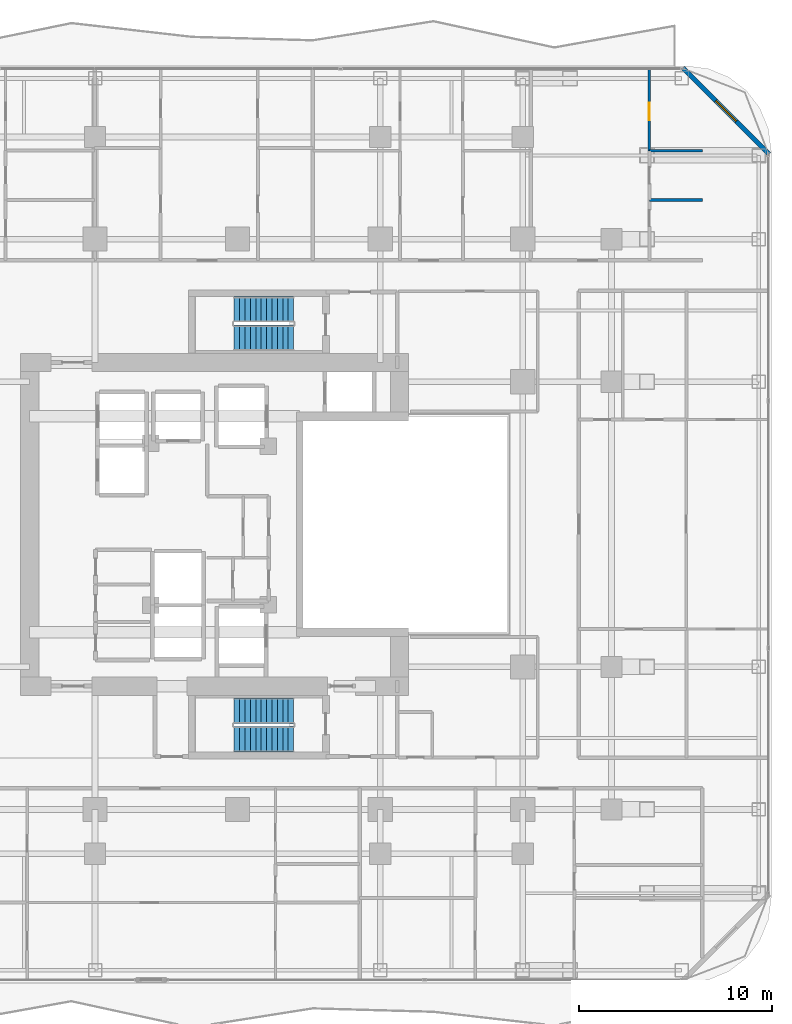
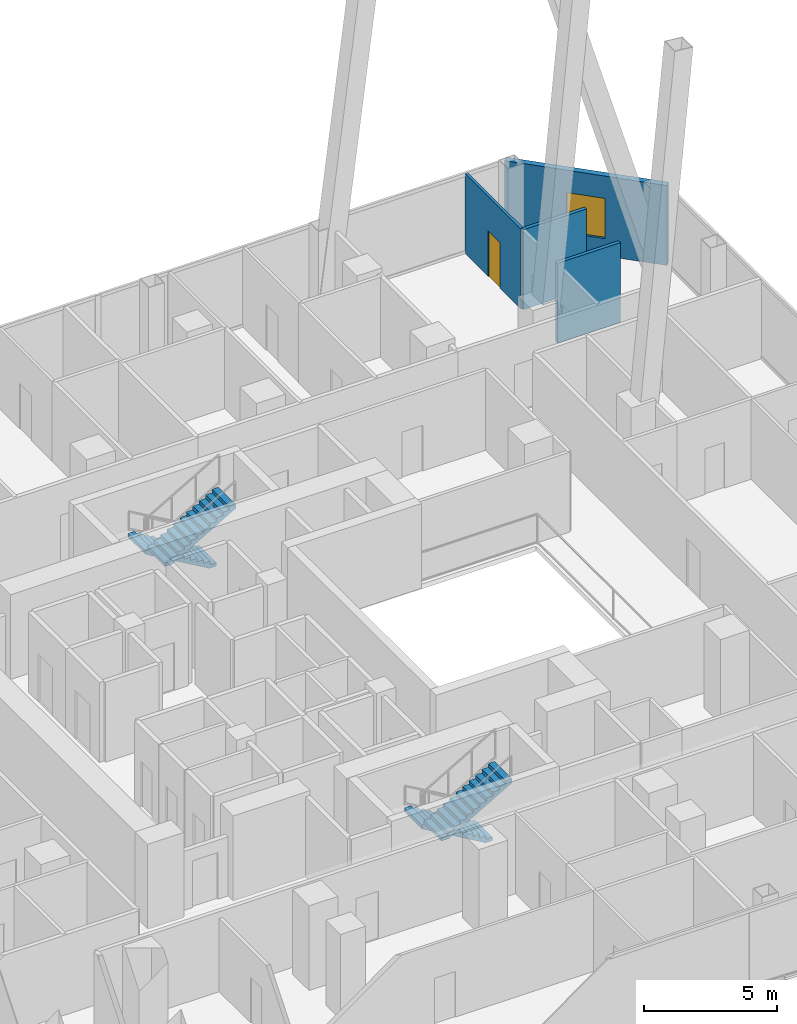
# One storey, part 29 of 32: 4 stair flights, 4 walls, 1 door, 1 window, 2 openings, 2 elements without a shape of their own.
"""IFC4 building model written with IfcOpenShell, lengths in metres."""

from ifc_helpers import new_model, si_unit, direction, frame, frame_2d, origin, place, context, subcontext, project, spatial, polyline, rectangle, outline, extrude, material, layer, layer_set, type_object, element, fill, aggregate, save


model = new_model("IFC4")

# Units and contexts
model_context = context("Model", 3, precision=1e-05, world=origin(), true_north=direction((0.0, 1.0)))
body_context = subcontext(model_context, "Body", "Model", "MODEL_VIEW")
ifc_project = project(units=[si_unit("LENGTHUNIT", "METRE"), si_unit("AREAUNIT", "SQUARE_METRE"), si_unit("VOLUMEUNIT", "CUBIC_METRE"), si_unit("PLANEANGLEUNIT", "RADIAN"), si_unit("MASSUNIT", "GRAM", prefix="KILO")], contexts=[model_context])

# Site, building, storey
site_placement = place(None, origin())
site = spatial("IfcSite", under=ifc_project, at=site_placement, CompositionType="ELEMENT")
building_placement = place(site_placement, origin())
building = spatial("IfcBuilding", under=site, at=building_placement, Name="Khorvyn Point Tower", CompositionType="ELEMENT")
storey_placement = place(building_placement, frame((0.0, 0.0, 148.5)))
storey = spatial("IfcBuildingStorey", under=building, at=storey_placement, Name="L37", CompositionType="ELEMENT", Elevation=148.5)

# Wall, opening, window
ifc_material_1 = material(Name="Pale anodised aluminium rainscreen on steel stud", Category="steel")
ifc_layer_1 = layer(ifc_material_1, 0.239990234375)
ifc_layer_set_1 = layer_set([ifc_layer_1], Name="Anodised Aluminium Insulated Corner Spandrel Wall 240")
wall_type_1 = type_object("IfcWallType", Name="Anodised Aluminium Insulated Corner Spandrel Wall 240", PredefinedType="SOLIDWALL", material=ifc_layer_set_1)
wall_1_placement = place(storey_placement, frame((23.107666015625, 23.6923828125, 0.0), z_axis=(0.0, 0.0, 1.0), x_axis=(0.707087534163, -0.707126027686, 0.0)))
wall_1 = element("IfcWall", 1, at=wall_1_placement, inside=storey, type_object=wall_type_1, Name="L37 Rounded Corner Wall NE", PredefinedType="SOLIDWALL", context=body_context, shape_type="SweptSolid", body=[
    extrude(rectangle(XDim=6.34228515625, YDim=0.239990234375, at=frame_2d((3.171142578125, 0.0))), origin(), (0.0, 0.0, 1.0), 3.679931640625),
])
opening_1_placement = place(wall_1_placement, frame((2.42138671875, 0.0, 0.800048828125)))
opening_1 = element("IfcOpeningElement", 2, at=opening_1_placement, cuts=wall_1, Name="Opening WN-1518", PredefinedType="OPENING", context=body_context, shape_type="SweptSolid", body=[
    extrude(rectangle(XDim=1.5, YDim=1.85009765625, at=frame_2d((0.75, 0.925048828125))), frame((0.0, 0.1298828125, 0.0), z_axis=(0.0, -1.0, 0.0), x_axis=(1.0, 0.0, 0.0)), (0.0, 0.0, 1.0), 0.260009765625),
])
ifc_material_2 = material(Name="Anodised aluminium 6063-T6 and laminated Low-E glass", Category="aluminium")
window_type = type_object("IfcWindowType", Name="Anodised Aluminium Rounded-Corner Panoramic Window 1500x1850", PartitioningType="SINGLE_PANEL", PredefinedType="WINDOW", material=ifc_material_2)
window_placement = place(opening_1_placement, origin())
window = element("IfcWindow", 3, at=window_placement, inside=storey, type_object=window_type, Name="L37 Corner Panoramic Window NE", OverallHeight=1.85009765625, OverallWidth=1.5, PartitioningType="SINGLE_PANEL", PredefinedType="WINDOW", context=body_context, shape_type="SweptSolid", body=[
    extrude(rectangle(XDim=1.5, YDim=1.85009765625, at=frame_2d((0.75, 0.925048828125))), frame((0.0, 0.030029296875, 0.0), z_axis=(0.0, -1.0, 0.0), x_axis=(1.0, 0.0, 0.0)), (0.0, 0.0, 1.0), 0.06005859375),
])
fill(opening_1, window)

# Wall, opening, door
ifc_material_3 = material(Name="Gypsum plasterboard on steel stud", Category="steel")
ifc_layer_2 = layer(ifc_material_3, 0.1201171875)
ifc_layer_set_2 = layer_set([ifc_layer_2], Name="Gypsum Acoustic Stud Room Partition Wall 120")
wall_type_2 = type_object("IfcWallType", Name="Gypsum Acoustic Stud Room Partition Wall 120", PredefinedType="PARTITIONING", material=ifc_layer_set_2)
wall_2_placement = place(storey_placement, frame((21.3701171875, 19.389892578125, 0.0), z_axis=(0.0, 0.0, 1.0), x_axis=(0.0, 1.0, 0.0)))
wall_2 = element("IfcWall", 4, at=wall_2_placement, inside=storey, type_object=wall_type_2, Name="Wall", PredefinedType="PARTITIONING", context=body_context, shape_type="SweptSolid", body=[
    extrude(rectangle(XDim=4.239990234375, YDim=0.1201171875, at=frame_2d((2.1201171875, 0.0))), origin(), (0.0, 0.0, 1.0), 3.679931640625),
])
opening_2_placement = place(wall_2_placement, frame((1.581298828125, 0.0, 0.0)))
opening_2 = element("IfcOpeningElement", 5, at=opening_2_placement, cuts=wall_2, Name="Opening ID-RM90", PredefinedType="OPENING", context=body_context, shape_type="SweptSolid", body=[
    extrude(rectangle(XDim=0.89990234375, YDim=2.10009765625, at=frame_2d((0.449951171875, 1.050048828125))), frame((0.0, 0.070068359375, 0.0), z_axis=(0.0, -1.0, 0.0), x_axis=(1.0, 0.0, 0.0)), (0.0, 0.0, 1.0), 0.14013671875),
])
ifc_material_4 = material(Name="Engineered oak veneer timber", Category="wood")
door_type = type_object("IfcDoorType", Name="Flush Engineered Timber Room Door 900x2100", OperationType="NOTDEFINED", PredefinedType="DOOR", material=ifc_material_4)
door_placement = place(opening_2_placement, origin())
door = element("IfcDoor", 6, at=door_placement, inside=storey, type_object=door_type, Name="Door", OperationType="SINGLE_SWING_RIGHT", OverallHeight=2.10009765625, OverallWidth=0.89990234375, PredefinedType="DOOR", context=body_context, shape_type="SweptSolid", body=[
    extrude(rectangle(XDim=0.89990234375, YDim=2.10009765625, at=frame_2d((0.449951171875, 1.050048828125))), frame((0.0, 0.02490234375, 0.0), z_axis=(0.0, -1.0, 0.0), x_axis=(1.0, 0.0, 0.0)), (0.0, 0.0, 1.0), 0.050048828125),
])
fill(opening_2, door)

# Walls
ifc_material_5 = material(Name="Moisture-resistant gypsum and cement board", Category="gypsum")
ifc_layer_3 = layer(ifc_material_5, 0.14990234375)
ifc_layer_set_3 = layer_set([ifc_layer_3], Name="Moisture-Resistant Wet-Room Partition Wall 150")
wall_type_3 = type_object("IfcWallType", Name="Moisture-Resistant Wet-Room Partition Wall 150", PredefinedType="PARTITIONING", material=ifc_layer_set_3)
for number, where, z_axis, x_axis, name in (
    (7, (21.3701171875, 16.8291015625, 0.0), (0.0, 0.0, 1.0), (1.0, 0.0, 0.0), "Wall"),
    (8, (21.3701171875, 19.389892578125, 0.0), (0.0, 0.0, 1.0), (1.0, 0.0, 0.0), "Wall"),
):
    element("IfcWall", number, at=place(storey_placement, frame(where, z_axis=z_axis, x_axis=x_axis)), inside=storey, type_object=wall_type_3, Name=name, PredefinedType="PARTITIONING", context=body_context, shape_type="SweptSolid", body=[
        extrude(rectangle(XDim=2.75, YDim=0.14990234375, at=frame_2d((1.375, 0.0))), origin(), (0.0, 0.0, 1.0), 3.679931640625),
    ])

# Stair, stair flights
ifc_material_6 = material(Name="Concrete C40/50", Category="concrete")
stair_type = type_object("IfcStairType", Name="Tower Concrete C40/50 Dogleg Exit Stair", PredefinedType="HALF_TURN_STAIR", material=ifc_material_6)
stair_1_placement = place(storey_placement, origin())
stair_1 = element("IfcStair", 9, at=stair_1_placement, inside=storey, type_object=stair_type, Name="L37 Tower Smokeproof Exit Stair South", PredefinedType="HALF_TURN_STAIR")
stair_flight_type = type_object("IfcStairFlightType", Name="Tower Concrete C40/50 Stair Flight", PredefinedType="STRAIGHT", material=ifc_material_6)
stair_flight_1_placement = place(storey_placement, frame((2.89990234375, -9.679931640625, 0.0), z_axis=(0.0, 0.0, 1.0), x_axis=(-1.0, 0.0, 0.0)))
stair_flight_1 = element("IfcStairFlight", 10, at=stair_flight_1_placement, type_object=stair_flight_type, Name="ST-01 flight 1", NumberOfRisers=12, NumberOfTreads=11, PredefinedType="STRAIGHT", RiserHeight=0.1625, TreadLength=0.28, context=body_context, shape_type="SweptSolid", body=[
    extrude(outline(polyline([(0.0, 0.0), (0.0, 0.16259765625), (0.280029296875, 0.16259765625), (0.280029296875, 0.324951171875), (0.56005859375, 0.324951171875), (0.56005859375, 0.487548828125), (0.840087890625, 0.487548828125), (0.840087890625, 0.64990234375), (1.1201171875, 0.64990234375), (1.1201171875, 0.8125), (1.39990234375, 0.8125), (1.39990234375, 0.97509765625), (1.679931640625, 0.97509765625), (1.679931640625, 1.137451171875), (1.9599609375, 1.137451171875), (1.9599609375, 1.300048828125), (2.239990234375, 1.300048828125), (2.239990234375, 1.46240234375), (2.52001953125, 1.46240234375), (2.52001953125, 1.625), (2.800048828125, 1.625), (2.800048828125, 1.78759765625), (3.080078125, 1.78759765625), (3.080078125, 1.949951171875), (3.080078125, 1.6142578125), (0.298583984375, 0.0), (0.0, 0.0)])), frame((0.0, 0.66015625, 0.0), z_axis=(0.0, -1.0, 0.0), x_axis=(1.0, 0.0, 0.0)), (0.0, 0.0, 1.0), 1.320068359375),
])
stair_flight_2_placement = place(storey_placement, frame((-0.179931640625, -11.159912109375, 1.949951171875), z_axis=(0.0, 0.0, 1.0), x_axis=(1.0, 0.0, 0.0)))
stair_flight_2 = element("IfcStairFlight", 11, at=stair_flight_2_placement, type_object=stair_flight_type, Name="ST-01 flight 2", NumberOfRisers=12, NumberOfTreads=11, PredefinedType="STRAIGHT", RiserHeight=0.1625, TreadLength=0.28, context=body_context, shape_type="SweptSolid", body=[
    extrude(outline(polyline([(0.0, 0.0), (0.0, 0.16259765625), (0.280029296875, 0.16259765625), (0.280029296875, 0.324951171875), (0.56005859375, 0.324951171875), (0.56005859375, 0.487548828125), (0.840087890625, 0.487548828125), (0.840087890625, 0.64990234375), (1.1201171875, 0.64990234375), (1.1201171875, 0.8125), (1.39990234375, 0.8125), (1.39990234375, 0.97509765625), (1.679931640625, 0.97509765625), (1.679931640625, 1.137451171875), (1.9599609375, 1.137451171875), (1.9599609375, 1.300048828125), (2.239990234375, 1.300048828125), (2.239990234375, 1.46240234375), (2.52001953125, 1.46240234375), (2.52001953125, 1.625), (2.800048828125, 1.625), (2.800048828125, 1.78759765625), (3.080078125, 1.78759765625), (3.080078125, 1.949951171875), (3.080078125, 1.6142578125), (0.298583984375, 0.0), (0.0, 0.0)])), frame((0.0, 0.66015625, 0.0), z_axis=(0.0, -1.0, 0.0), x_axis=(1.0, 0.0, 0.0)), (0.0, 0.0, 1.0), 1.320068359375),
])
aggregate(stair_1, [stair_flight_1, stair_flight_2])

stair_2_placement = place(storey_placement, origin())
stair_2 = element("IfcStair", 12, at=stair_2_placement, inside=storey, type_object=stair_type, Name="L37 Tower Smokeproof Exit Stair North", PredefinedType="HALF_TURN_STAIR")
stair_flight_3_placement = place(storey_placement, frame((2.89990234375, 11.159912109375, 0.0), z_axis=(0.0, 0.0, 1.0), x_axis=(-1.0, 0.0, 0.0)))
stair_flight_3 = element("IfcStairFlight", 13, at=stair_flight_3_placement, type_object=stair_flight_type, Name="ST-02 flight 1", NumberOfRisers=12, NumberOfTreads=11, PredefinedType="STRAIGHT", RiserHeight=0.1625, TreadLength=0.28, context=body_context, shape_type="SweptSolid", body=[
    extrude(outline(polyline([(0.0, 0.0), (0.0, 0.16259765625), (0.280029296875, 0.16259765625), (0.280029296875, 0.324951171875), (0.56005859375, 0.324951171875), (0.56005859375, 0.487548828125), (0.840087890625, 0.487548828125), (0.840087890625, 0.64990234375), (1.1201171875, 0.64990234375), (1.1201171875, 0.8125), (1.39990234375, 0.8125), (1.39990234375, 0.97509765625), (1.679931640625, 0.97509765625), (1.679931640625, 1.137451171875), (1.9599609375, 1.137451171875), (1.9599609375, 1.300048828125), (2.239990234375, 1.300048828125), (2.239990234375, 1.46240234375), (2.52001953125, 1.46240234375), (2.52001953125, 1.625), (2.800048828125, 1.625), (2.800048828125, 1.78759765625), (3.080078125, 1.78759765625), (3.080078125, 1.949951171875), (3.080078125, 1.6142578125), (0.298583984375, 0.0), (0.0, 0.0)])), frame((0.0, 0.66015625, 0.0), z_axis=(0.0, -1.0, 0.0), x_axis=(1.0, 0.0, 0.0)), (0.0, 0.0, 1.0), 1.320068359375),
])
stair_flight_4_placement = place(storey_placement, frame((-0.179931640625, 9.679931640625, 1.949951171875), z_axis=(0.0, 0.0, 1.0), x_axis=(1.0, 0.0, 0.0)))
stair_flight_4 = element("IfcStairFlight", 14, at=stair_flight_4_placement, type_object=stair_flight_type, Name="ST-02 flight 2", NumberOfRisers=12, NumberOfTreads=11, PredefinedType="STRAIGHT", RiserHeight=0.1625, TreadLength=0.28, context=body_context, shape_type="SweptSolid", body=[
    extrude(outline(polyline([(0.0, 0.0), (0.0, 0.16259765625), (0.280029296875, 0.16259765625), (0.280029296875, 0.324951171875), (0.56005859375, 0.324951171875), (0.56005859375, 0.487548828125), (0.840087890625, 0.487548828125), (0.840087890625, 0.64990234375), (1.1201171875, 0.64990234375), (1.1201171875, 0.8125), (1.39990234375, 0.8125), (1.39990234375, 0.97509765625), (1.679931640625, 0.97509765625), (1.679931640625, 1.137451171875), (1.9599609375, 1.137451171875), (1.9599609375, 1.300048828125), (2.239990234375, 1.300048828125), (2.239990234375, 1.46240234375), (2.52001953125, 1.46240234375), (2.52001953125, 1.625), (2.800048828125, 1.625), (2.800048828125, 1.78759765625), (3.080078125, 1.78759765625), (3.080078125, 1.949951171875), (3.080078125, 1.6142578125), (0.298583984375, 0.0), (0.0, 0.0)])), frame((0.0, 0.66015625, 0.0), z_axis=(0.0, -1.0, 0.0), x_axis=(1.0, 0.0, 0.0)), (0.0, 0.0, 1.0), 1.320068359375),
])
aggregate(stair_2, [stair_flight_3, stair_flight_4])

save(model, "model.ifc")
